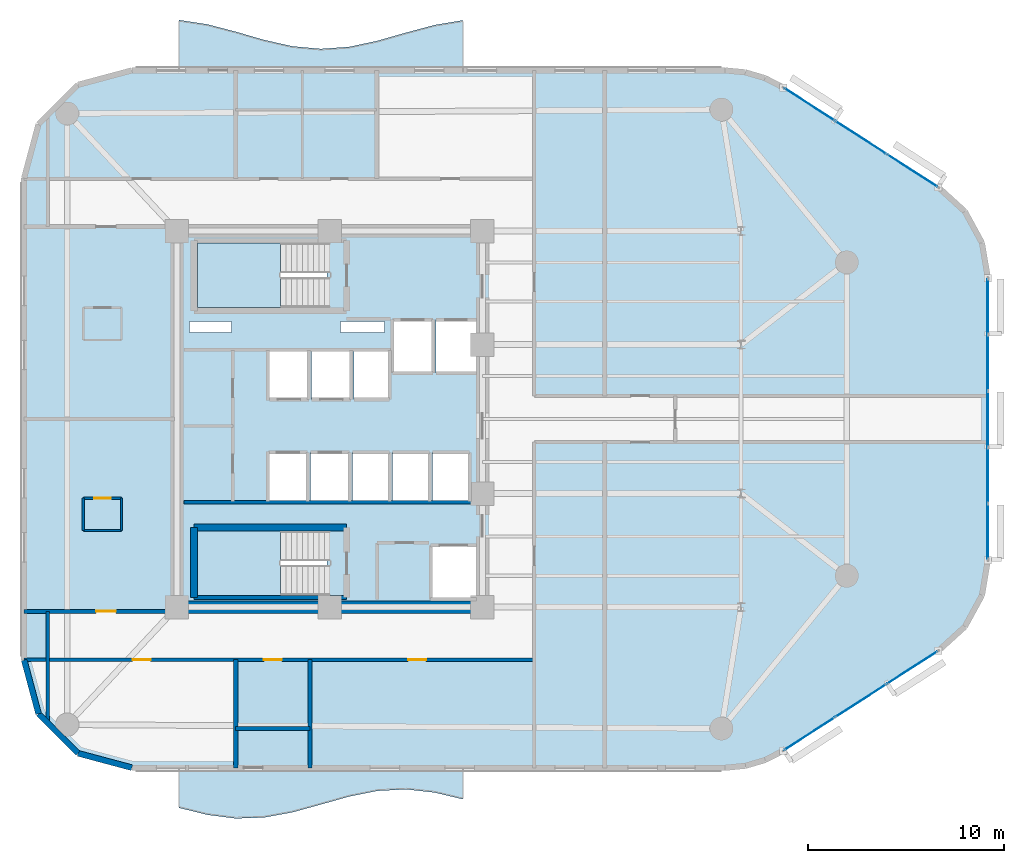
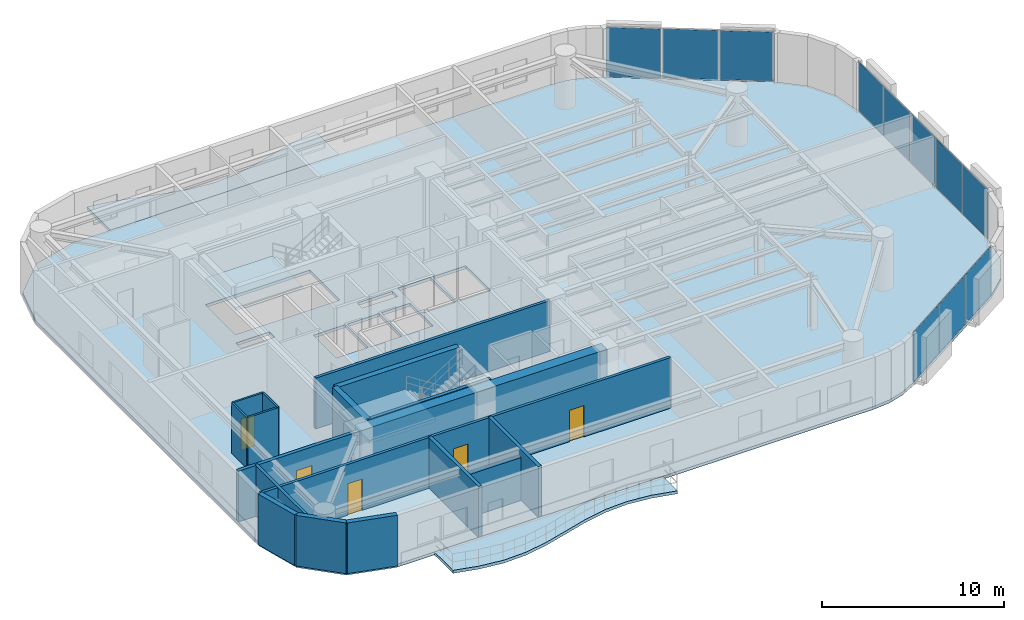
# One storey, part 9 of 15: 18 walls, 11 plates, 5 doors, 5 slabs, 5 openings, 5 elements without a shape of their own.
"""IFC4 building model written with IfcOpenShell, lengths in metres."""

from ifc_helpers import new_model, si_unit, direction, frame, frame_2d, origin, origin_2d, place, context, subcontext, project, spatial, polyline, rectangle, outline, extrude, material, layer, layer_set, type_object, element, fill, aggregate, save


model = new_model("IFC4")

# Units and contexts
model_context = context("Model", 3, precision=1e-05, world=origin(), true_north=direction((0.0, 1.0)))
body_context = subcontext(model_context, "Body", "Model", "MODEL_VIEW")
ifc_project = project(units=[si_unit("LENGTHUNIT", "METRE"), si_unit("AREAUNIT", "SQUARE_METRE"), si_unit("VOLUMEUNIT", "CUBIC_METRE"), si_unit("PLANEANGLEUNIT", "RADIAN"), si_unit("MASSUNIT", "GRAM", prefix="KILO")], contexts=[model_context])

# Site, building, storey
site_placement = place(None, origin())
site = spatial("IfcSite", under=ifc_project, at=site_placement, CompositionType="ELEMENT")
building_placement = place(site_placement, origin())
building = spatial("IfcBuilding", under=site, at=building_placement, Name="An Khanh Terracotta Commons", CompositionType="ELEMENT")
storey_placement = place(building_placement, frame((0.0, 0.0, 179.800048828125)))
storey = spatial("IfcBuildingStorey", under=building, at=storey_placement, Name="L47", CompositionType="ELEMENT", Elevation=179.800048828125)

# Curtain wall, plates
ifc_material_1 = material(Name="Anodised Aluminium 6063-T6", Category="aluminium")
ifc_layer_1 = layer(ifc_material_1, 0.2099609375, Name="Anodised Aluminium 6063-T6")
ifc_layer_set_1 = layer_set([ifc_layer_1], Name="Anodised Aluminium 6063-T6")
curtain_wall_type = type_object("IfcCurtainWallType", Name="CW-SYS-03", PredefinedType="USERDEFINED", material=ifc_layer_set_1)
curtain_wall_1_placement = place(storey_placement, origin())
curtain_wall_1 = element("IfcCurtainWall", 1, at=curtain_wall_1_placement, inside=storey, type_object=curtain_wall_type, Name="L47 CW-03 Unitised Curtain Wall CW-L47-08", ObjectType="UNITISED CURTAIN WALL", PredefinedType="USERDEFINED")
ifc_material_2 = material(Name="Acoustic Laminated Low-E Glazing", Category="glass")
ifc_layer_2 = layer(ifc_material_2, 0.035888671875, Name="Acoustic Laminated Low-E Glazing")
ifc_layer_set_2 = layer_set([ifc_layer_2], Name="Acoustic Laminated Low-E Glazing")
plate_type = type_object("IfcPlateType", Name="CWP-IGU-36", PredefinedType="CURTAIN_PANEL", material=ifc_layer_set_2)
plate_1_placement = place(storey_placement, frame((53.894287109375, 7.935546875, 0.0498046875), z_axis=(0.0, 0.0, 1.0), x_axis=(0.840702081986, 0.541497931062, 0.0)))
plate_1 = element("IfcPlate", 2, at=plate_1_placement, type_object=plate_type, Name="CW-03 panel 1.1", PredefinedType="CURTAIN_PANEL", context=body_context, shape_type="SweptSolid", body=[
    extrude(rectangle(XDim=3.034423828125, YDim=0.035888671875, at=origin_2d()), origin(), (0.0, 0.0, 1.0), 3.300048828125),
])
plate_2_placement = place(storey_placement, frame((56.51904296875, 9.6259765625, 0.0498046875), z_axis=(0.0, 0.0, 1.0), x_axis=(0.840702081986, 0.541497931062, 0.0)))
plate_2 = element("IfcPlate", 3, at=plate_2_placement, type_object=plate_type, Name="CW-03 panel 2.1", PredefinedType="CURTAIN_PANEL", context=body_context, shape_type="SweptSolid", body=[
    extrude(rectangle(XDim=3.0693359375, YDim=0.035888671875, at=origin_2d()), origin(), (0.0, 0.0, 1.0), 3.300048828125),
])
plate_3_placement = place(storey_placement, frame((59.1435546875, 11.31640625, 0.0498046875), z_axis=(0.0, 0.0, 1.0), x_axis=(0.840702081986, 0.541497931062, 0.0)))
plate_3 = element("IfcPlate", 4, at=plate_3_placement, type_object=plate_type, Name="CW-03 panel 3.1", PredefinedType="CURTAIN_PANEL", context=body_context, shape_type="SweptSolid", body=[
    extrude(rectangle(XDim=3.034423828125, YDim=0.035888671875, at=origin_2d()), origin(), (0.0, 0.0, 1.0), 3.300048828125),
])
aggregate(curtain_wall_1, [plate_1, plate_2, plate_3])

curtain_wall_2_placement = place(storey_placement, origin())
curtain_wall_2 = element("IfcCurtainWall", 5, at=curtain_wall_2_placement, inside=storey, type_object=curtain_wall_type, Name="L47 CW-03 Unitised Curtain Wall CW-L47-12", ObjectType="UNITISED CURTAIN WALL", PredefinedType="USERDEFINED")
plate_4_placement = place(storey_placement, frame((63.0, 18.257568359375, 0.0498046875), z_axis=(0.0, 0.0, 1.0), x_axis=(0.0, 1.0, 0.0)))
plate_4 = element("IfcPlate", 6, at=plate_4_placement, type_object=plate_type, Name="CW-03 panel 1.1", PredefinedType="CURTAIN_PANEL", context=body_context, shape_type="SweptSolid", body=[
    extrude(rectangle(XDim=2.77490234375, YDim=0.035888671875, at=origin_2d()), origin(), (0.0, 0.0, 1.0), 3.300048828125),
])
plate_5_placement = place(storey_placement, frame((63.0, 21.1201171875, 0.0498046875), z_axis=(0.0, 0.0, 1.0), x_axis=(0.0, 1.0, 0.0)))
plate_5 = element("IfcPlate", 7, at=plate_5_placement, type_object=plate_type, Name="CW-03 panel 2.1", PredefinedType="CURTAIN_PANEL", context=body_context, shape_type="SweptSolid", body=[
    extrude(rectangle(XDim=2.81005859375, YDim=0.035888671875, at=origin_2d()), origin(), (0.0, 0.0, 1.0), 3.300048828125),
])
plate_6_placement = place(storey_placement, frame((63.0, 24.0, 0.0498046875), z_axis=(0.0, 0.0, 1.0), x_axis=(0.0, 1.0, 0.0)))
plate_6 = element("IfcPlate", 8, at=plate_6_placement, type_object=plate_type, Name="CW-03 panel 3.1", PredefinedType="CURTAIN_PANEL", context=body_context, shape_type="SweptSolid", body=[
    extrude(rectangle(XDim=2.81005859375, YDim=0.035888671875, at=origin_2d()), origin(), (0.0, 0.0, 1.0), 3.300048828125),
])
plate_7_placement = place(storey_placement, frame((63.0, 26.8798828125, 0.0498046875), z_axis=(0.0, 0.0, 1.0), x_axis=(0.0, 1.0, 0.0)))
plate_7 = element("IfcPlate", 9, at=plate_7_placement, type_object=plate_type, Name="CW-03 panel 4.1", PredefinedType="CURTAIN_PANEL", context=body_context, shape_type="SweptSolid", body=[
    extrude(rectangle(XDim=2.81005859375, YDim=0.035888671875, at=origin_2d()), origin(), (0.0, 0.0, 1.0), 3.300048828125),
])
plate_8_placement = place(storey_placement, frame((63.0, 29.742431640625, 0.0498046875), z_axis=(0.0, 0.0, 1.0), x_axis=(0.0, 1.0, 0.0)))
plate_8 = element("IfcPlate", 10, at=plate_8_placement, type_object=plate_type, Name="CW-03 panel 5.1", PredefinedType="CURTAIN_PANEL", context=body_context, shape_type="SweptSolid", body=[
    extrude(rectangle(XDim=2.77490234375, YDim=0.035888671875, at=origin_2d()), origin(), (0.0, 0.0, 1.0), 3.300048828125),
])
aggregate(curtain_wall_2, [plate_4, plate_5, plate_6, plate_7, plate_8])

curtain_wall_3_placement = place(storey_placement, origin())
curtain_wall_3 = element("IfcCurtainWall", 11, at=curtain_wall_3_placement, inside=storey, type_object=curtain_wall_type, Name="L47 CW-03 Unitised Curtain Wall CW-L47-16", ObjectType="UNITISED CURTAIN WALL", PredefinedType="USERDEFINED")
plate_9_placement = place(storey_placement, frame((59.1435546875, 36.68359375, 0.0498046875), z_axis=(0.0, 0.0, 1.0), x_axis=(-0.840702081986, 0.541497931062, 0.0)))
plate_9 = element("IfcPlate", 12, at=plate_9_placement, type_object=plate_type, Name="CW-03 panel 1.1", PredefinedType="CURTAIN_PANEL", context=body_context, shape_type="SweptSolid", body=[
    extrude(rectangle(XDim=3.034423828125, YDim=0.035888671875, at=origin_2d()), origin(), (0.0, 0.0, 1.0), 3.300048828125),
])
plate_10_placement = place(storey_placement, frame((56.51904296875, 38.3740234375, 0.0498046875), z_axis=(0.0, 0.0, 1.0), x_axis=(-0.840702081986, 0.541497931062, 0.0)))
plate_10 = element("IfcPlate", 13, at=plate_10_placement, type_object=plate_type, Name="CW-03 panel 2.1", PredefinedType="CURTAIN_PANEL", context=body_context, shape_type="SweptSolid", body=[
    extrude(rectangle(XDim=3.0693359375, YDim=0.035888671875, at=origin_2d()), origin(), (0.0, 0.0, 1.0), 3.300048828125),
])
plate_11_placement = place(storey_placement, frame((53.894287109375, 40.064453125, 0.0498046875), z_axis=(0.0, 0.0, 1.0), x_axis=(-0.840702081986, 0.541497931062, 0.0)))
plate_11 = element("IfcPlate", 14, at=plate_11_placement, type_object=plate_type, Name="CW-03 panel 3.1", PredefinedType="CURTAIN_PANEL", context=body_context, shape_type="SweptSolid", body=[
    extrude(rectangle(XDim=3.034423828125, YDim=0.035888671875, at=origin_2d()), origin(), (0.0, 0.0, 1.0), 3.300048828125),
])
aggregate(curtain_wall_3, [plate_9, plate_10, plate_11])

# Slabs
ifc_material_3 = material(Name="Concrete C40/50", Category="concrete")
ifc_layer_3 = layer(ifc_material_3, 0.199951171875, Name="Concrete C40/50")
ifc_layer_set_3 = layer_set([ifc_layer_3], Name="Concrete C40/50")
slab_type_1 = type_object("IfcSlabType", Name="SLAB-BALC-200", PredefinedType="FLOOR", material=ifc_layer_set_3)
slab_1_placement = place(storey_placement, frame((0.0, 0.0, -0.199951171875)))
element("IfcSlab", 15, at=slab_1_placement, inside=storey, type_object=slab_type_1, Name="L47 S Sinusoidal Wave Balcony Slab", PredefinedType="FLOOR", context=body_context, shape_type="SweptSolid", body=[
    extrude(outline(polyline([(21.699951171875, 6.199951171875), (21.699951171875, 4.156005859375), (23.14990234375, 3.7958984375), (24.60009765625, 3.611083984375), (26.050048828125, 3.658935546875), (27.5, 3.925048828125), (28.949951171875, 4.324951171875), (30.39990234375, 4.73291015625), (31.85009765625, 5.02001953125), (33.300048828125, 5.095947265625), (34.75, 4.93603515625), (36.199951171875, 4.591064453125), (36.199951171875, 6.199951171875), (21.699951171875, 6.199951171875)])), origin(), (0.0, 0.0, 1.0), 0.199951171875),
])
slab_2_placement = place(storey_placement, frame((0.0, 0.0, -0.199951171875)))
element("IfcSlab", 16, at=slab_2_placement, inside=storey, type_object=slab_type_1, Name="L47 N Sinusoidal Wave Balcony Slab", PredefinedType="FLOOR", context=body_context, shape_type="SweptSolid", body=[
    extrude(outline(polyline([(36.199951171875, 41.800048828125), (36.199951171875, 44.360107421875), (34.75, 44.117919921875), (33.300048828125, 43.72802734375), (31.85009765625, 43.31396484375), (30.39990234375, 43.0048828125), (28.949951171875, 42.89990234375), (27.5, 43.031982421875), (26.050048828125, 43.35791015625), (24.60009765625, 43.777099609375), (23.14990234375, 44.155029296875), (21.699951171875, 44.3740234375), (21.699951171875, 41.800048828125), (36.199951171875, 41.800048828125)])), origin(), (0.0, 0.0, 1.0), 0.199951171875),
])

# Stair, slab
ifc_material_4 = material(Name="Precast concrete C40/50", Category="concrete")
stair_type = type_object("IfcStairType", Name="STAIR-CORE-1550", PredefinedType="HALF_TURN_STAIR", material=ifc_material_4)
stair_1_placement = place(storey_placement, origin())
stair_1 = element("IfcStair", 17, at=stair_1_placement, inside=storey, type_object=stair_type, Name="L47 Core Smokeproof Exit Stair ST-01", PredefinedType="HALF_TURN_STAIR")
ifc_layer_4 = layer(ifc_material_3, 0.18994140625, Name="Concrete C40/50")
ifc_layer_set_4 = layer_set([ifc_layer_4], Name="Concrete C40/50")
slab_type_2 = type_object("IfcSlabType", Name="SLAB-LANDING-190", PredefinedType="LANDING", material=ifc_layer_set_4)
slab_3_placement = place(storey_placement, frame((0.0, 0.0, 1.599853515625)))
slab_3 = element("IfcSlab", 18, at=slab_3_placement, type_object=slab_type_2, Name="ST-01 landing 1", PredefinedType="LANDING", context=body_context, shape_type="SweptSolid", body=[
    extrude(outline(polyline([(26.889892578125, 33.0), (22.64990234375, 33.0), (22.64990234375, 29.699951171875), (26.889892578125, 29.699951171875), (26.889892578125, 33.0)])), origin(), (0.0, 0.0, 1.0), 0.2001953125),
])
aggregate(stair_1, [slab_3])

stair_2_placement = place(storey_placement, origin())
stair_2 = element("IfcStair", 19, at=stair_2_placement, inside=storey, type_object=stair_type, Name="L47 Core Smokeproof Exit Stair ST-02", PredefinedType="HALF_TURN_STAIR")
slab_4_placement = place(storey_placement, frame((0.0, 0.0, 1.599853515625)))
slab_4 = element("IfcSlab", 20, at=slab_4_placement, type_object=slab_type_2, Name="ST-02 landing 1", PredefinedType="LANDING", context=body_context, shape_type="SweptSolid", body=[
    extrude(outline(polyline([(26.889892578125, 18.300048828125), (22.64990234375, 18.300048828125), (22.64990234375, 15.0), (26.889892578125, 15.0), (26.889892578125, 18.300048828125)])), origin(), (0.0, 0.0, 1.0), 0.2001953125),
])
aggregate(stair_2, [slab_4])

# Slab
ifc_layer_5 = layer(ifc_material_3, 0.199951171875, Name="Concrete C40/50")
ifc_layer_set_5 = layer_set([ifc_layer_5], Name="Concrete C40/50")
slab_type_3 = type_object("IfcSlabType", Name="SLAB-TYP-200", PredefinedType="FLOOR", material=ifc_layer_set_5)
slab_5_placement = place(storey_placement, frame((0.0, 0.0, -0.199951171875)))
element("IfcSlab", 21, at=slab_5_placement, inside=storey, type_object=slab_type_3, Name="L47 Structural Floor Slab", PredefinedType="FLOOR", context=body_context, shape_type="SweptSolid", body=[
    extrude(outline(polyline([(13.800048828125, 11.699951171875), (14.537109375, 8.949951171875), (16.550048828125, 6.93701171875), (19.300048828125, 6.199951171875), (49.58203125, 6.199951171875), (50.625, 6.300048828125), (51.6298828125, 6.594970703125), (52.56005859375, 7.075927734375), (60.47802734375, 12.176025390625), (61.825927734375, 13.403076171875), (62.697998046875, 15.0029296875), (63.0, 16.800048828125), (63.0, 31.199951171875), (62.697998046875, 32.9970703125), (61.825927734375, 34.596923828125), (60.47802734375, 35.823974609375), (52.56005859375, 40.924072265625), (51.6298828125, 41.405029296875), (50.625, 41.699951171875), (49.58203125, 41.800048828125), (19.300048828125, 41.800048828125), (16.550048828125, 41.06298828125), (14.537109375, 39.050048828125), (13.800048828125, 36.300048828125), (13.800048828125, 11.699951171875)]), holes=[polyline([(22.64990234375, 29.699951171875), (29.27001953125, 29.699951171875), (29.27001953125, 33.0), (22.64990234375, 33.0), (22.64990234375, 29.699951171875)]), polyline([(22.64990234375, 15.0), (29.27001953125, 15.0), (29.27001953125, 18.300048828125), (22.64990234375, 18.300048828125), (22.64990234375, 15.0)]), polyline([(32.60009765625, 26.35009765625), (34.679931640625, 26.35009765625), (34.679931640625, 29.080078125), (32.60009765625, 29.080078125), (32.60009765625, 26.35009765625)]), polyline([(34.820068359375, 26.35009765625), (36.89990234375, 26.35009765625), (36.89990234375, 29.080078125), (34.820068359375, 29.080078125), (34.820068359375, 26.35009765625)]), polyline([(34.550048828125, 14.800048828125), (36.89990234375, 14.800048828125), (36.89990234375, 17.550048828125), (34.550048828125, 17.550048828125), (34.550048828125, 14.800048828125)]), polyline([(26.320068359375, 25.0), (28.340087890625, 25.0), (28.340087890625, 27.5), (26.320068359375, 27.5), (26.320068359375, 25.0)]), polyline([(28.47998046875, 25.0), (30.5, 25.0), (30.5, 27.5), (28.47998046875, 27.5), (28.47998046875, 25.0)]), polyline([(26.280029296875, 19.800048828125), (28.280029296875, 19.800048828125), (28.280029296875, 22.300048828125), (26.280029296875, 22.300048828125), (26.280029296875, 19.800048828125)]), polyline([(28.419921875, 19.800048828125), (30.419921875, 19.800048828125), (30.419921875, 22.300048828125), (28.419921875, 22.300048828125), (28.419921875, 19.800048828125)]), polyline([(30.639892578125, 25.0), (32.4599609375, 25.0), (32.4599609375, 27.5), (30.639892578125, 27.5), (30.639892578125, 25.0)]), polyline([(30.56005859375, 19.800048828125), (32.4599609375, 19.800048828125), (32.4599609375, 22.300048828125), (30.56005859375, 22.300048828125), (30.56005859375, 19.800048828125)]), polyline([(32.60009765625, 19.800048828125), (34.5, 19.800048828125), (34.5, 22.300048828125), (32.60009765625, 22.300048828125), (32.60009765625, 19.800048828125)]), polyline([(34.639892578125, 19.800048828125), (36.5400390625, 19.800048828125), (36.5400390625, 22.300048828125), (34.639892578125, 22.300048828125), (34.639892578125, 19.800048828125)]), polyline([(22.25, 28.419921875), (24.39990234375, 28.419921875), (24.39990234375, 28.97998046875), (22.25, 28.97998046875), (22.25, 28.419921875)]), polyline([(29.949951171875, 28.419921875), (32.199951171875, 28.419921875), (32.199951171875, 28.97998046875), (29.949951171875, 28.97998046875), (29.949951171875, 28.419921875)])]), origin(), (0.0, 0.0, 1.0), 0.199951171875),
])

# Walls
ifc_material_5 = material(Name="Concrete C60/75", Category="concrete")
ifc_layer_6 = layer(ifc_material_5, 0.64990234375, Name="Concrete C60/75")
ifc_layer_set_6 = layer_set([ifc_layer_6], Name="Concrete C60/75")
wall_type_1 = type_object("IfcWallType", Name="WALL-CORE-650", PredefinedType="SHEAR", material=ifc_layer_set_6)
wall_1_placement = place(storey_placement, frame((37.199951171875, 14.39990234375, 0.0), z_axis=(0.0, 0.0, 1.0), x_axis=(-1.0, 0.0, 0.0)))
element("IfcWall", 22, at=wall_1_placement, inside=storey, type_object=wall_type_1, Name="L47 Core Wall CWALL-L47-S", PredefinedType="SHEAR", context=body_context, shape_type="SweptSolid", body=[
    extrude(rectangle(XDim=15.599853515625, YDim=0.64990234375, at=frame_2d((7.7998046875, 0.0))), origin(), (0.0, 0.0, 1.0), 3.39990234375),
])
ifc_material_6 = material(Name="Fire-Rated Gypsum Board on Steel Stud", Category="steel")
ifc_layer_7 = layer(ifc_material_6, 0.179931640625, Name="Fire-Rated Gypsum Board on Steel Stud")
ifc_layer_set_7 = layer_set([ifc_layer_7], Name="Fire-Rated Gypsum Board on Steel Stud")
wall_type_2 = type_object("IfcWallType", Name="WALL-CORR-180", PredefinedType="PARTITIONING", material=ifc_layer_set_7)
wall_2_placement = place(storey_placement, frame((21.949951171875, 19.760009765625, 0.0), z_axis=(0.0, 0.0, 1.0), x_axis=(1.0, 0.0, 0.0)))
element("IfcWall", 23, at=wall_2_placement, inside=storey, type_object=wall_type_2, Name="L47 Core Wall SVW-L47-N", PredefinedType="PARTITIONING", context=body_context, shape_type="SweptSolid", body=[
    extrude(rectangle(XDim=14.8701171875, YDim=0.179931640625, at=frame_2d((7.43505859375, 0.0))), origin(), (0.0, 0.0, 1.0), 3.39990234375),
])

# Wall, openings, doors
wall_3_placement = place(storey_placement, frame((13.800048828125, 11.719970703125, 0.0), z_axis=(0.0, 0.0, 1.0), x_axis=(1.0, 0.0, 0.0)))
wall_3 = element("IfcWall", 24, at=wall_3_placement, inside=storey, type_object=wall_type_2, Name="L47 Interior Partition IW-L47-E002", PredefinedType="PARTITIONING", context=body_context, shape_type="SweptSolid", body=[
    extrude(rectangle(XDim=26.050048828125, YDim=0.179931640625, at=frame_2d((13.02490234375, 0.0))), origin(), (0.0, 0.0, 1.0), 3.39990234375),
])
opening_1_placement = place(wall_3_placement, frame((12.239990234375, 0.0, 0.0)))
opening_1 = element("IfcOpeningElement", 25, at=opening_1_placement, cuts=wall_3, Name="Opening D-RM", PredefinedType="OPENING", context=body_context, shape_type="SweptSolid", body=[
    extrude(rectangle(XDim=0.919921875, YDim=2.10009765625, at=frame_2d((0.4599609375, 1.050048828125))), frame((0.0, 0.099853515625, 0.0), z_axis=(0.0, -1.0, 0.0), x_axis=(1.0, 0.0, 0.0)), (0.0, 0.0, 1.0), 0.199951171875),
])
opening_2_placement = place(wall_3_placement, frame((5.5400390625, 0.0, 0.0)))
opening_2 = element("IfcOpeningElement", 26, at=opening_2_placement, cuts=wall_3, Name="Opening D-RM", PredefinedType="OPENING", context=body_context, shape_type="SweptSolid", body=[
    extrude(rectangle(XDim=0.919921875, YDim=2.10009765625, at=frame_2d((0.4599609375, 1.050048828125))), frame((0.0, 0.099853515625, 0.0), z_axis=(0.0, -1.0, 0.0), x_axis=(1.0, 0.0, 0.0)), (0.0, 0.0, 1.0), 0.199951171875),
])
opening_3_placement = place(wall_3_placement, frame((19.60498046875, 0.0, 0.0)))
opening_3 = element("IfcOpeningElement", 27, at=opening_3_placement, cuts=wall_3, Name="Opening D-RM", PredefinedType="OPENING", context=body_context, shape_type="SweptSolid", body=[
    extrude(rectangle(XDim=0.919921875, YDim=2.10009765625, at=frame_2d((0.4599609375, 1.050048828125))), frame((0.0, 0.099853515625, 0.0), z_axis=(0.0, -1.0, 0.0), x_axis=(1.0, 0.0, 0.0)), (0.0, 0.0, 1.0), 0.199951171875),
])
ifc_material_7 = material(Name="Engineered Hardwood Timber Leaf", Category="wood")
door_type_1 = type_object("IfcDoorType", Name="DOOR-INT-920", OperationType="NOTDEFINED", PredefinedType="DOOR", material=ifc_material_7)
door_1_placement = place(opening_1_placement, origin())
door_1 = element("IfcDoor", 28, at=door_1_placement, inside=storey, type_object=door_type_1, Name="L47 HKP Housekeeping Linen Store Door", OperationType="SINGLE_SWING_LEFT", OverallHeight=2.10009765625, OverallWidth=0.919921875, PredefinedType="DOOR", context=body_context, shape_type="SweptSolid", body=[
    extrude(rectangle(XDim=0.919921875, YDim=2.10009765625, at=frame_2d((0.4599609375, 1.050048828125))), frame((0.0, 0.02490234375, 0.0), z_axis=(0.0, -1.0, 0.0), x_axis=(1.0, 0.0, 0.0)), (0.0, 0.0, 1.0), 0.050048828125),
])
fill(opening_1, door_1)
door_2_placement = place(opening_2_placement, origin())
door_2 = element("IfcDoor", 29, at=door_2_placement, inside=storey, type_object=door_type_1, Name="L47 SW1 Academic Seminar Room Door", OperationType="SINGLE_SWING_LEFT", OverallHeight=2.10009765625, OverallWidth=0.919921875, PredefinedType="DOOR", context=body_context, shape_type="SweptSolid", body=[
    extrude(rectangle(XDim=0.919921875, YDim=2.10009765625, at=frame_2d((0.4599609375, 1.050048828125))), frame((0.0, 0.02490234375, 0.0), z_axis=(0.0, -1.0, 0.0), x_axis=(1.0, 0.0, 0.0)), (0.0, 0.0, 1.0), 0.050048828125),
])
fill(opening_2, door_2)
door_3_placement = place(opening_3_placement, origin())
door_3 = element("IfcDoor", 30, at=door_3_placement, inside=storey, type_object=door_type_1, Name="L47 SWE Music Practice Room Door", OperationType="SINGLE_SWING_RIGHT", OverallHeight=2.10009765625, OverallWidth=0.919921875, PredefinedType="DOOR", context=body_context, shape_type="SweptSolid", body=[
    extrude(rectangle(XDim=0.919921875, YDim=2.10009765625, at=frame_2d((0.4599609375, 1.050048828125))), frame((0.0, 0.02490234375, 0.0), z_axis=(0.0, -1.0, 0.0), x_axis=(1.0, 0.0, 0.0)), (0.0, 0.0, 1.0), 0.050048828125),
])
fill(opening_3, door_3)

# Walls
wall_4_placement = place(storey_placement, frame((15.0, 8.487060546875, 0.0), z_axis=(0.0, 0.0, 1.0), x_axis=(0.0, 1.0, 0.0)))
element("IfcWall", 31, at=wall_4_placement, inside=storey, type_object=wall_type_2, Name="L47 Interior Partition IW-L47-E010", PredefinedType="PARTITIONING", context=body_context, shape_type="SweptSolid", body=[
    extrude(rectangle(XDim=5.69287109375, YDim=0.179931640625, at=frame_2d((2.846435546875, 0.0))), origin(), (0.0, 0.0, 1.0), 3.39990234375),
])
ifc_layer_8 = layer(ifc_material_4, 0.300048828125, Name="Precast concrete C40/50")
ifc_layer_set_8 = layer_set([ifc_layer_8], Name="Precast concrete C40/50")
wall_type_3 = type_object("IfcWallType", Name="WALL-EXT-300", PredefinedType="SOLIDWALL", material=ifc_layer_set_8)
wall_5_placement = place(storey_placement, frame((13.800048828125, 11.699951171875, 0.0), z_axis=(0.0, 0.0, 1.0), x_axis=(0.258884674387, -0.965908238586, 0.0)))
element("IfcWall", 32, at=wall_5_placement, inside=storey, type_object=wall_type_3, Name="L47 Insulated Terracotta Exterior Wall 1", PredefinedType="SOLIDWALL", context=body_context, shape_type="SweptSolid", body=[
    extrude(rectangle(XDim=2.84716796875, YDim=0.300048828125, at=frame_2d((1.423583984375, 0.0))), origin(), (0.0, 0.0, 1.0), 3.39990234375),
])
wall_6_placement = place(storey_placement, frame((14.537109375, 8.949951171875, 0.0), z_axis=(0.0, 0.0, 1.0), x_axis=(0.707106781187, -0.707106781187, 0.0)))
element("IfcWall", 33, at=wall_6_placement, inside=storey, type_object=wall_type_3, Name="L47 Insulated Terracotta Exterior Wall 2", PredefinedType="SOLIDWALL", context=body_context, shape_type="SweptSolid", body=[
    extrude(rectangle(XDim=2.8466796875, YDim=0.300048828125, at=frame_2d((1.42333984375, 0.0))), origin(), (0.0, 0.0, 1.0), 3.39990234375),
])
wall_7_placement = place(storey_placement, frame((16.550048828125, 6.93701171875, 0.0), z_axis=(0.0, 0.0, 1.0), x_axis=(0.965908238586, -0.258884674387, 0.0)))
element("IfcWall", 34, at=wall_7_placement, inside=storey, type_object=wall_type_3, Name="L47 Insulated Terracotta Exterior Wall 3", PredefinedType="SOLIDWALL", context=body_context, shape_type="SweptSolid", body=[
    extrude(rectangle(XDim=2.84716796875, YDim=0.300048828125, at=frame_2d((1.423583984375, 0.0))), origin(), (0.0, 0.0, 1.0), 3.39990234375),
])
ifc_material_8 = material(Name="Acoustic Double-Stud Gypsum and Mineral Wool")
ifc_layer_9 = layer(ifc_material_8, 0.219970703125, Name="Acoustic Double-Stud Gypsum and Mineral Wool")
ifc_layer_set_9 = layer_set([ifc_layer_9], Name="Acoustic Double-Stud Gypsum and Mineral Wool")
wall_type_4 = type_object("IfcWallType", Name="WALL-PARTY-220", PredefinedType="PARTITIONING", material=ifc_layer_set_9)
wall_8_placement = place(storey_placement, frame((22.47998046875, 14.889892578125, 0.0), z_axis=(0.0, 0.0, 1.0), x_axis=(1.0, 0.0, 0.0)))
element("IfcWall", 35, at=wall_8_placement, inside=storey, type_object=wall_type_4, Name="L47 Core Wall STW-L47-S-S", PredefinedType="PARTITIONING", context=body_context, shape_type="SweptSolid", body=[
    extrude(rectangle(XDim=7.7900390625, YDim=0.219970703125, at=frame_2d((3.89501953125, 0.0))), origin(), (0.0, 0.0, 1.0), 3.39990234375),
])
wall_9_placement = place(storey_placement, frame((24.60009765625, 8.199951171875, 0.0), z_axis=(0.0, 0.0, 1.0), x_axis=(1.0, 0.0, 0.0)))
element("IfcWall", 36, at=wall_9_placement, inside=storey, type_object=wall_type_4, Name="L47 Interior Partition IW-L47-E001", PredefinedType="PARTITIONING", context=body_context, shape_type="SweptSolid", body=[
    extrude(rectangle(XDim=3.7998046875, YDim=0.219970703125, at=frame_2d((1.89990234375, 0.0))), origin(), (0.0, 0.0, 1.0), 2.8818359375),
])

# Wall, opening, door
wall_10_placement = place(storey_placement, frame((13.800048828125, 14.179931640625, 0.0), z_axis=(0.0, 0.0, 1.0), x_axis=(1.0, 0.0, 0.0)))
wall_10 = element("IfcWall", 37, at=wall_10_placement, inside=storey, type_object=wall_type_4, Name="L47 Interior Partition IW-L47-E003", PredefinedType="PARTITIONING", context=body_context, shape_type="SweptSolid", body=[
    extrude(rectangle(XDim=7.679931640625, YDim=0.219970703125, at=frame_2d((3.83984375, 0.0))), origin(), (0.0, 0.0, 1.0), 3.39990234375),
])
opening_4_placement = place(wall_10_placement, frame((3.679931640625, 0.0, 0.0)))
opening_4 = element("IfcOpeningElement", 38, at=opening_4_placement, cuts=wall_10, Name="Opening D-UN", PredefinedType="OPENING", context=body_context, shape_type="SweptSolid", body=[
    extrude(rectangle(XDim=1.0, YDim=2.14990234375, at=frame_2d((0.5, 1.074951171875))), frame((0.0, 0.119873046875, 0.0), z_axis=(0.0, -1.0, 0.0), x_axis=(1.0, 0.0, 0.0)), (0.0, 0.0, 1.0), 0.239990234375),
])
ifc_material_9 = material(Name="Solid-Core Hardwood Acoustic Fire Door", Category="wood")
door_type_2 = type_object("IfcDoorType", Name="DOOR-UNIT-1000", OperationType="NOTDEFINED", PredefinedType="DOOR", material=ifc_material_9)
door_4_placement = place(opening_4_placement, origin())
door_4 = element("IfcDoor", 39, at=door_4_placement, inside=storey, type_object=door_type_2, Name="L47 WW1 Kitchenette and Studio Apartment Door", OperationType="SINGLE_SWING_LEFT", OverallHeight=2.14990234375, OverallWidth=1.0, PredefinedType="DOOR", context=body_context, shape_type="SweptSolid", body=[
    extrude(rectangle(XDim=1.0, YDim=2.14990234375, at=frame_2d((0.5, 1.074951171875))), frame((0.0, 0.02490234375, 0.0), z_axis=(0.0, -1.0, 0.0), x_axis=(1.0, 0.0, 0.0)), (0.0, 0.0, 1.0), 0.050048828125),
])
fill(opening_4, door_4)

# Walls
for number, where, z_axis, x_axis, name in (
    (40, (24.60009765625, 6.199951171875, 0.0), (0.0, 0.0, 1.0), (0.0, 1.0, 0.0), "L47 Interior Partition IW-L47-E012"),
    (41, (28.39990234375, 6.199951171875, 0.0), (0.0, 0.0, 1.0), (0.0, 1.0, 0.0), "L47 Interior Partition IW-L47-E015"),
):
    element("IfcWall", number, at=place(storey_placement, frame(where, z_axis=z_axis, x_axis=x_axis)), inside=storey, type_object=wall_type_4, Name=name, PredefinedType="PARTITIONING", context=body_context, shape_type="SweptSolid", body=[
        extrude(rectangle(XDim=5.52001953125, YDim=0.219970703125, at=frame_2d((2.760009765625, 0.0))), origin(), (0.0, 0.0, 1.0), 3.39990234375),
    ])
ifc_material_10 = material(Name="Concrete C50/60", Category="concrete")
ifc_layer_10 = layer(ifc_material_10, 0.35009765625, Name="Concrete C50/60")
ifc_layer_set_10 = layer_set([ifc_layer_10], Name="Concrete C50/60")
wall_type_5 = type_object("IfcWallType", Name="WALL-SHAFT-350", PredefinedType="SOLIDWALL", material=ifc_layer_set_10)
wall_11_placement = place(storey_placement, frame((22.47998046875, 18.469970703125, 0.0), z_axis=(0.0, 0.0, 1.0), x_axis=(1.0, 0.0, 0.0)))
element("IfcWall", 42, at=wall_11_placement, inside=storey, type_object=wall_type_5, Name="L47 Core Wall STW-L47-S-N", PredefinedType="SOLIDWALL", context=body_context, shape_type="SweptSolid", body=[
    extrude(rectangle(XDim=7.7900390625, YDim=0.35009765625, at=frame_2d((3.89501953125, 0.0))), origin(), (0.0, 0.0, 1.0), 3.39990234375),
])
wall_12_placement = place(storey_placement, frame((22.47998046875, 14.889892578125, 0.0), z_axis=(0.0, 0.0, 1.0), x_axis=(0.0, 1.0, 0.0)))
element("IfcWall", 43, at=wall_12_placement, inside=storey, type_object=wall_type_5, Name="L47 Core Wall STW-L47-S-W", PredefinedType="SOLIDWALL", context=body_context, shape_type="SweptSolid", body=[
    extrude(rectangle(XDim=3.580078125, YDim=0.35009765625, at=frame_2d((1.7900390625, 0.0))), origin(), (0.0, 0.0, 1.0), 3.39990234375),
])

# Wall, opening, door
ifc_material_11 = material(Name="Moisture-Resistant Cement Board Partition")
ifc_layer_11 = layer(ifc_material_11, 0.1201171875, Name="Moisture-Resistant Cement Board Partition")
ifc_layer_set_11 = layer_set([ifc_layer_11], Name="Moisture-Resistant Cement Board Partition")
wall_type_6 = type_object("IfcWallType", Name="WALL-WET-120", PredefinedType="PARTITIONING", material=ifc_layer_set_11)
wall_13_placement = place(storey_placement, frame((16.824951171875, 19.965087890625, 0.0), z_axis=(0.0, 0.0, 1.0), x_axis=(1.0, 0.0, 0.0)))
wall_13 = element("IfcWall", 44, at=wall_13_placement, inside=storey, type_object=wall_type_6, Name="L47 Interior Partition IW-L47-WW1-BN", PredefinedType="PARTITIONING", context=body_context, shape_type="SweptSolid", body=[
    extrude(rectangle(XDim=1.949951171875, YDim=0.1201171875, at=frame_2d((0.97509765625, 0.0))), origin(), (0.0, 0.0, 1.0), 3.39990234375),
])
opening_5_placement = place(wall_13_placement, frame((0.544921875, 0.0, 0.0)))
opening_5 = element("IfcOpeningElement", 45, at=opening_5_placement, cuts=wall_13, Name="Opening D-ENS", PredefinedType="OPENING", context=body_context, shape_type="SweptSolid", body=[
    extrude(rectangle(XDim=0.860107421875, YDim=2.10009765625, at=frame_2d((0.43017578125, 1.050048828125))), frame((0.0, 0.070068359375, 0.0), z_axis=(0.0, -1.0, 0.0), x_axis=(1.0, 0.0, 0.0)), (0.0, 0.0, 1.0), 0.14013671875),
])
ifc_material_12 = material(Name="Moisture-Resistant Hardwood Timber Leaf", Category="wood")
door_type_3 = type_object("IfcDoorType", Name="DOOR-BATH-860", OperationType="NOTDEFINED", PredefinedType="DOOR", material=ifc_material_12)
door_5_placement = place(opening_5_placement, origin())
door_5 = element("IfcDoor", 46, at=door_5_placement, inside=storey, type_object=door_type_3, Name="L47 Studio WW1 En-suite Door", OperationType="SINGLE_SWING_LEFT", OverallHeight=2.10009765625, OverallWidth=0.860107421875, PredefinedType="DOOR", context=body_context, shape_type="SweptSolid", body=[
    extrude(rectangle(XDim=0.860107421875, YDim=2.10009765625, at=frame_2d((0.43017578125, 1.050048828125))), frame((0.0, 0.02490234375, 0.0), z_axis=(0.0, -1.0, 0.0), x_axis=(1.0, 0.0, 0.0)), (0.0, 0.0, 1.0), 0.050048828125),
])
fill(opening_5, door_5)

# Walls
wall_14_placement = place(storey_placement, frame((18.77490234375, 18.31494140625, 0.0), z_axis=(0.0, 0.0, 1.0), x_axis=(-1.0, 0.0, 0.0)))
element("IfcWall", 47, at=wall_14_placement, inside=storey, type_object=wall_type_6, Name="L47 Interior Partition IW-L47-WW1-BS", PredefinedType="PARTITIONING", context=body_context, shape_type="SweptSolid", body=[
    extrude(rectangle(XDim=1.949951171875, YDim=0.1201171875, at=frame_2d((0.97509765625, 0.0))), origin(), (0.0, 0.0, 1.0), 3.39990234375),
])
for number, where, z_axis, x_axis, name in (
    (48, (16.824951171875, 19.965087890625, 0.0), (0.0, 0.0, 1.0), (0.0, -1.0, 0.0), "L47 Interior Partition IW-L47-WW1-BW"),
    (49, (18.77490234375, 18.31494140625, 0.0), (0.0, 0.0, 1.0), (0.0, 1.0, 0.0), "L47 Interior Partition IW-L47-WW1-BE"),
):
    element("IfcWall", number, at=place(storey_placement, frame(where, z_axis=z_axis, x_axis=x_axis)), inside=storey, type_object=wall_type_6, Name=name, PredefinedType="PARTITIONING", context=body_context, shape_type="SweptSolid", body=[
        extrude(rectangle(XDim=1.650146484375, YDim=0.1201171875, at=frame_2d((0.8251953125, 0.0))), origin(), (0.0, 0.0, 1.0), 3.39990234375),
    ])

save(model, "model.ifc")
